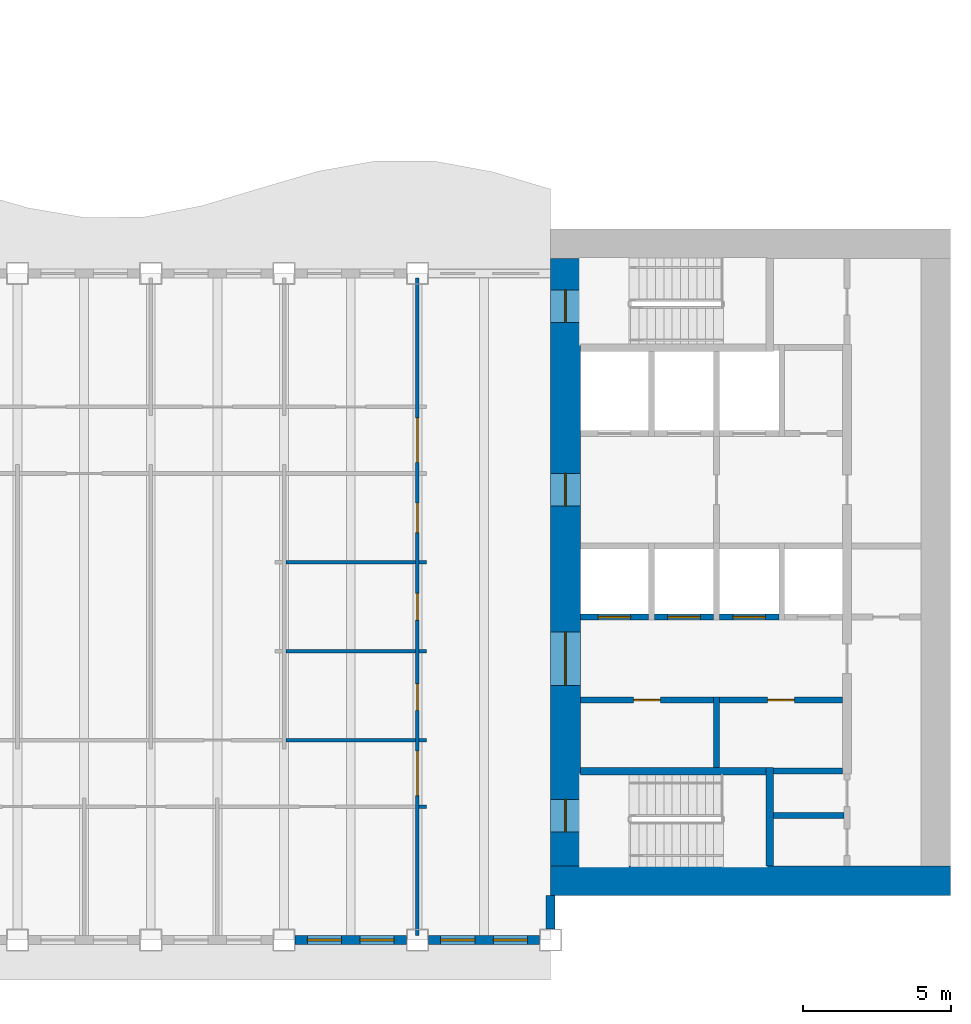
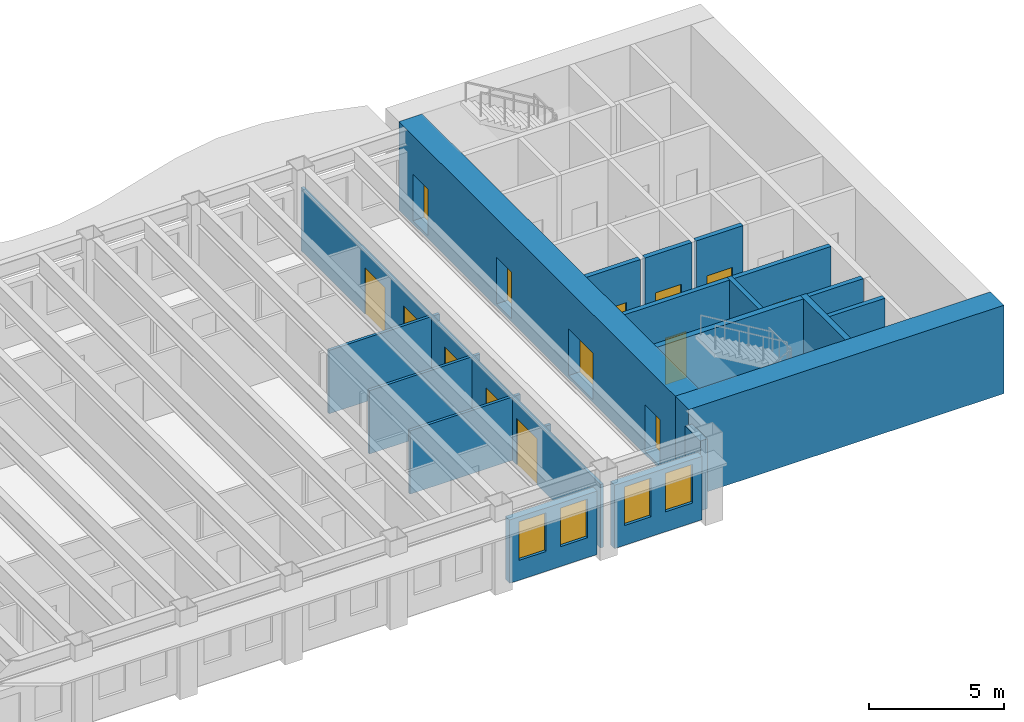
# One storey, part 6 of 17: 23 walls, 14 doors, 4 windows, 18 openings.
"""IFC4 building model written with IfcOpenShell, lengths in metres."""

from ifc_helpers import new_model, si_unit, direction, frame, frame_2d, origin, place, context, subcontext, project, spatial, rectangle, extrude, material, layer, layer_set, type_object, element, fill, save


model = new_model("IFC4")

# Units and contexts
model_context = context("Model", 3, precision=1e-05, world=origin(), true_north=direction((0.0, 1.0)))
body_context = subcontext(model_context, "Body", "Model", "MODEL_VIEW")
ifc_project = project(units=[si_unit("LENGTHUNIT", "METRE"), si_unit("AREAUNIT", "SQUARE_METRE"), si_unit("VOLUMEUNIT", "CUBIC_METRE"), si_unit("PLANEANGLEUNIT", "RADIAN"), si_unit("MASSUNIT", "GRAM", prefix="KILO")], contexts=[model_context])

# Site, building, storey
site_placement = place(None, origin())
site = spatial("IfcSite", under=ifc_project, at=site_placement, CompositionType="ELEMENT")
building_placement = place(site_placement, origin())
building = spatial("IfcBuilding", under=site, at=building_placement, Name="Sennacour Bend Tower", CompositionType="ELEMENT")
storey_placement = place(building_placement, frame((0.0, 0.0, 199.0)))
storey = spatial("IfcBuildingStorey", under=building, at=storey_placement, Name="L45", CompositionType="ELEMENT", Elevation=199.0)

# Wall
ifc_material_1 = material(Name="Concrete C60/75", Category="concrete")
ifc_layer_1 = layer(ifc_material_1, 1.0, Name="Concrete C60/75", Category="concrete")
ifc_layer_set_1 = layer_set([ifc_layer_1], Name="Concrete C60/75")
wall_type_1 = type_object("IfcWallType", Name="Core wall 1000 C60/75", PredefinedType="SHEAR", material=ifc_layer_set_1)
wall_1_placement = place(storey_placement, frame((67.5, 0.5, -0.14990234375), z_axis=(0.0, 0.0, 1.0), x_axis=(-1.0, 0.0, 0.0)))
element("IfcWall", 1, at=wall_1_placement, inside=storey, type_object=wall_type_1, Name="Core A wall L45 S", PredefinedType="SHEAR", context=body_context, shape_type="SweptSolid", body=[
    extrude(rectangle(XDim=13.5, YDim=1.0, at=frame_2d((6.75, 0.0))), origin(), (0.0, 0.0, 1.0), 4.0),
])

# Wall, openings, doors
wall_2_placement = place(storey_placement, frame((54.5, 1.0, -0.14990234375), z_axis=(0.0, 0.0, 1.0), x_axis=(0.0, 1.0, 0.0)))
wall_2 = element("IfcWall", 2, at=wall_2_placement, inside=storey, type_object=wall_type_1, Name="Core A wall L45 W", PredefinedType="SHEAR", context=body_context, shape_type="SweptSolid", body=[
    extrude(rectangle(XDim=20.5, YDim=1.0, at=frame_2d((10.25, 0.0))), origin(), (0.0, 0.0, 1.0), 4.0),
])
opening_1_placement = place(wall_2_placement, frame((6.10009765625, 0.0, 0.14990234375)))
opening_1 = element("IfcOpeningElement", 3, at=opening_1_placement, cuts=wall_2, Name="Opening CD", PredefinedType="OPENING", context=body_context, shape_type="SweptSolid", body=[
    extrude(rectangle(XDim=1.800048828125, YDim=2.10009765625, at=frame_2d((0.89990234375, 1.050048828125))), frame((0.0, 0.510009765625, 0.0), z_axis=(0.0, -1.0, 0.0), x_axis=(1.0, 0.0, 0.0)), (0.0, 0.0, 1.0), 1.02001953125),
])
opening_2_placement = place(wall_2_placement, frame((12.14990234375, 0.0, 0.14990234375)))
opening_2 = element("IfcOpeningElement", 4, at=opening_2_placement, cuts=wall_2, Name="Opening FD", PredefinedType="OPENING", context=body_context, shape_type="SweptSolid", body=[
    extrude(rectangle(XDim=1.10009765625, YDim=2.10009765625, at=frame_2d((0.550048828125, 1.050048828125))), frame((0.0, 0.510009765625, 0.0), z_axis=(0.0, -1.0, 0.0), x_axis=(1.0, 0.0, 0.0)), (0.0, 0.0, 1.0), 1.02001953125),
])
opening_3_placement = place(wall_2_placement, frame((1.14990234375, 0.0, 0.14990234375)))
opening_3 = element("IfcOpeningElement", 5, at=opening_3_placement, cuts=wall_2, Name="Opening SD", PredefinedType="OPENING", context=body_context, shape_type="SweptSolid", body=[
    extrude(rectangle(XDim=1.10009765625, YDim=2.10009765625, at=frame_2d((0.550048828125, 1.050048828125))), frame((0.0, 0.510009765625, 0.0), z_axis=(0.0, -1.0, 0.0), x_axis=(1.0, 0.0, 0.0)), (0.0, 0.0, 1.0), 1.02001953125),
])
opening_4_placement = place(wall_2_placement, frame((18.35009765625, 0.0, 0.14990234375)))
opening_4 = element("IfcOpeningElement", 6, at=opening_4_placement, cuts=wall_2, Name="Opening SD", PredefinedType="OPENING", context=body_context, shape_type="SweptSolid", body=[
    extrude(rectangle(XDim=1.10009765625, YDim=2.10009765625, at=frame_2d((0.550048828125, 1.050048828125))), frame((0.0, 0.510009765625, 0.0), z_axis=(0.0, -1.0, 0.0), x_axis=(1.0, 0.0, 0.0)), (0.0, 0.0, 1.0), 1.02001953125),
])
ifc_material_2 = material(Name="Painted steel", Category="steel")
door_type_1 = type_object("IfcDoorType", Name="DR-FFL-1100", OperationType="NOTDEFINED", PredefinedType="DOOR", material=ifc_material_2)
door_1_placement = place(opening_2_placement, origin())
door_1 = element("IfcDoor", 7, at=door_1_placement, inside=storey, type_object=door_type_1, Name="Door", OperationType="SINGLE_SWING_RIGHT", OverallHeight=2.10009765625, OverallWidth=1.10009765625, PredefinedType="DOOR", context=body_context, shape_type="SweptSolid", body=[
    extrude(rectangle(XDim=1.10009765625, YDim=2.10009765625, at=frame_2d((0.550048828125, 1.050048828125))), frame((0.0, 0.02490234375, 0.0), z_axis=(0.0, -1.0, 0.0), x_axis=(1.0, 0.0, 0.0)), (0.0, 0.0, 1.0), 0.050048828125),
])
fill(opening_2, door_1)
door_type_2 = type_object("IfcDoorType", Name="DR-LOBBY-1800", OperationType="NOTDEFINED", PredefinedType="DOOR", material=ifc_material_2)
door_2_placement = place(opening_1_placement, origin())
door_2 = element("IfcDoor", 8, at=door_2_placement, inside=storey, type_object=door_type_2, Name="Door", OperationType="DOUBLE_DOOR_SINGLE_SWING", OverallHeight=2.10009765625, OverallWidth=1.800048828125, PredefinedType="DOOR", context=body_context, shape_type="SweptSolid", body=[
    extrude(rectangle(XDim=1.800048828125, YDim=2.10009765625, at=frame_2d((0.89990234375, 1.050048828125))), frame((0.0, 0.02490234375, 0.0), z_axis=(0.0, -1.0, 0.0), x_axis=(1.0, 0.0, 0.0)), (0.0, 0.0, 1.0), 0.050048828125),
])
fill(opening_1, door_2)
door_type_3 = type_object("IfcDoorType", Name="DR-STAIR-1100", OperationType="NOTDEFINED", PredefinedType="DOOR", material=ifc_material_2)
door_3_placement = place(opening_3_placement, origin())
door_3 = element("IfcDoor", 9, at=door_3_placement, inside=storey, type_object=door_type_3, Name="Door", OperationType="SINGLE_SWING_LEFT", OverallHeight=2.10009765625, OverallWidth=1.10009765625, PredefinedType="DOOR", context=body_context, shape_type="SweptSolid", body=[
    extrude(rectangle(XDim=1.10009765625, YDim=2.10009765625, at=frame_2d((0.550048828125, 1.050048828125))), frame((0.0, 0.02490234375, 0.0), z_axis=(0.0, -1.0, 0.0), x_axis=(1.0, 0.0, 0.0)), (0.0, 0.0, 1.0), 0.050048828125),
])
fill(opening_3, door_3)
door_4_placement = place(opening_4_placement, origin())
door_4 = element("IfcDoor", 10, at=door_4_placement, inside=storey, type_object=door_type_3, Name="Door", OperationType="SINGLE_SWING_RIGHT", OverallHeight=2.10009765625, OverallWidth=1.10009765625, PredefinedType="DOOR", context=body_context, shape_type="SweptSolid", body=[
    extrude(rectangle(XDim=1.10009765625, YDim=2.10009765625, at=frame_2d((0.550048828125, 1.050048828125))), frame((0.0, 0.02490234375, 0.0), z_axis=(0.0, -1.0, 0.0), x_axis=(1.0, 0.0, 0.0)), (0.0, 0.0, 1.0), 0.050048828125),
])
fill(opening_4, door_4)

# Walls
ifc_material_3 = material(Name="Plasterboard partition on steel studs", Category="steel")
ifc_layer_2 = layer(ifc_material_3, 0.1201171875, Name="Plasterboard partition on steel studs", Category="steel")
ifc_layer_set_2 = layer_set([ifc_layer_2], Name="Plasterboard partition on steel studs")
wall_type_2 = type_object("IfcWallType", Name="Partition 120", PredefinedType="PARTITIONING", material=ifc_layer_set_2)
wall_3_placement = place(storey_placement, frame((49.56005859375, 3.0, 0.0), z_axis=(0.0, 0.0, 1.0), x_axis=(1.0, 0.0, 0.0)))
element("IfcWall", 11, at=wall_3_placement, inside=storey, type_object=wall_type_2, Name="P-L45-W058ah", PredefinedType="PARTITIONING", context=body_context, shape_type="SweptSolid", body=[
    extrude(rectangle(XDim=0.239990234375, YDim=0.1201171875, at=frame_2d((0.1201171875, 0.0))), origin(), (0.0, 0.0, 1.0), 2.8701171875),
])
wall_4_placement = place(storey_placement, frame((45.06005859375, 5.25, 0.0), z_axis=(0.0, 0.0, 1.0), x_axis=(1.0, 0.0, 0.0)))
element("IfcWall", 12, at=wall_4_placement, inside=storey, type_object=wall_type_2, Name="P-L45-W063ae", PredefinedType="PARTITIONING", context=body_context, shape_type="SweptSolid", body=[
    extrude(rectangle(XDim=4.3798828125, YDim=0.1201171875, at=frame_2d((2.18994140625, 0.0))), origin(), (0.0, 0.0, 1.0), 2.8701171875),
])
wall_5_placement = place(storey_placement, frame((49.56005859375, 5.25, 0.0), z_axis=(0.0, 0.0, 1.0), x_axis=(1.0, 0.0, 0.0)))
element("IfcWall", 13, at=wall_5_placement, inside=storey, type_object=wall_type_2, Name="P-L45-W063af", PredefinedType="PARTITIONING", context=body_context, shape_type="SweptSolid", body=[
    extrude(rectangle(XDim=0.239990234375, YDim=0.1201171875, at=frame_2d((0.1201171875, 0.0))), origin(), (0.0, 0.0, 1.0), 2.8701171875),
])
wall_6_placement = place(storey_placement, frame((45.06005859375, 8.25, 0.0), z_axis=(0.0, 0.0, 1.0), x_axis=(1.0, 0.0, 0.0)))
element("IfcWall", 14, at=wall_6_placement, inside=storey, type_object=wall_type_2, Name="P-L45-W065ab", PredefinedType="PARTITIONING", context=body_context, shape_type="SweptSolid", body=[
    extrude(rectangle(XDim=4.3798828125, YDim=0.1201171875, at=frame_2d((2.18994140625, 0.0))), origin(), (0.0, 0.0, 1.0), 2.8701171875),
])
wall_7_placement = place(storey_placement, frame((49.56005859375, 8.25, 0.0), z_axis=(0.0, 0.0, 1.0), x_axis=(1.0, 0.0, 0.0)))
element("IfcWall", 15, at=wall_7_placement, inside=storey, type_object=wall_type_2, Name="P-L45-W065ac", PredefinedType="PARTITIONING", context=body_context, shape_type="SweptSolid", body=[
    extrude(rectangle(XDim=0.239990234375, YDim=0.1201171875, at=frame_2d((0.1201171875, 0.0))), origin(), (0.0, 0.0, 1.0), 2.8701171875),
])
wall_8_placement = place(storey_placement, frame((45.06005859375, 11.25, 0.0), z_axis=(0.0, 0.0, 1.0), x_axis=(1.0, 0.0, 0.0)))
element("IfcWall", 16, at=wall_8_placement, inside=storey, type_object=wall_type_2, Name="P-L45-W070ab", PredefinedType="PARTITIONING", context=body_context, shape_type="SweptSolid", body=[
    extrude(rectangle(XDim=4.3798828125, YDim=0.1201171875, at=frame_2d((2.18994140625, 0.0))), origin(), (0.0, 0.0, 1.0), 2.8701171875),
])
wall_9_placement = place(storey_placement, frame((49.56005859375, 11.25, 0.0), z_axis=(0.0, 0.0, 1.0), x_axis=(1.0, 0.0, 0.0)))
element("IfcWall", 17, at=wall_9_placement, inside=storey, type_object=wall_type_2, Name="P-L45-W070ac", PredefinedType="PARTITIONING", context=body_context, shape_type="SweptSolid", body=[
    extrude(rectangle(XDim=0.239990234375, YDim=0.1201171875, at=frame_2d((0.1201171875, 0.0))), origin(), (0.0, 0.0, 1.0), 2.8701171875),
])

# Wall, openings, doors
ifc_layer_3 = layer(ifc_material_3, 0.1201171875, Name="Plasterboard partition on steel studs", Category="steel")
ifc_layer_set_3 = layer_set([ifc_layer_3], Name="Plasterboard partition on steel studs")
wall_type_3 = type_object("IfcWallType", Name="Partition 120 EI 30", PredefinedType="PARTITIONING", material=ifc_layer_set_3)
wall_10_placement = place(storey_placement, frame((49.5, -1.35009765625, 0.0), z_axis=(0.0, 0.0, 1.0), x_axis=(0.0, 1.0, 0.0)))
wall_10 = element("IfcWall", 18, at=wall_10_placement, inside=storey, type_object=wall_type_3, Name="P-L45-W040a", PredefinedType="PARTITIONING", context=body_context, shape_type="SweptSolid", body=[
    extrude(rectangle(XDim=22.2001953125, YDim=0.1201171875, at=frame_2d((11.10009765625, 0.0))), origin(), (0.0, 0.0, 1.0), 2.8701171875),
])
opening_5_placement = place(wall_10_placement, frame((4.72509765625, 0.0, 0.0)))
opening_5 = element("IfcOpeningElement", 19, at=opening_5_placement, cuts=wall_10, Name="Opening KD", PredefinedType="OPENING", context=body_context, shape_type="SweptSolid", body=[
    extrude(rectangle(XDim=1.5, YDim=2.10009765625, at=frame_2d((0.75, 1.050048828125))), frame((0.0, 0.070068359375, 0.0), z_axis=(0.0, -1.0, 0.0), x_axis=(1.0, 0.0, 0.0)), (0.0, 0.0, 1.0), 0.14013671875),
])
opening_6_placement = place(wall_10_placement, frame((15.97509765625, 0.0, 0.0)))
opening_6 = element("IfcOpeningElement", 20, at=opening_6_placement, cuts=wall_10, Name="Opening KD", PredefinedType="OPENING", context=body_context, shape_type="SweptSolid", body=[
    extrude(rectangle(XDim=1.5, YDim=2.10009765625, at=frame_2d((0.75, 1.050048828125))), frame((0.0, 0.070068359375, 0.0), z_axis=(0.0, -1.0, 0.0), x_axis=(1.0, 0.0, 0.0)), (0.0, 0.0, 1.0), 0.14013671875),
])
opening_7_placement = place(wall_10_placement, frame((7.60009765625, 0.0, 0.0)))
opening_7 = element("IfcOpeningElement", 21, at=opening_7_placement, cuts=wall_10, Name="Opening WD", PredefinedType="OPENING", context=body_context, shape_type="SweptSolid", body=[
    extrude(rectangle(XDim=0.89990234375, YDim=2.10009765625, at=frame_2d((0.449951171875, 1.050048828125))), frame((0.0, 0.070068359375, 0.0), z_axis=(0.0, -1.0, 0.0), x_axis=(1.0, 0.0, 0.0)), (0.0, 0.0, 1.0), 0.14013671875),
])
opening_8_placement = place(wall_10_placement, frame((10.650146484375, 0.0, 0.0)))
opening_8 = element("IfcOpeningElement", 22, at=opening_8_placement, cuts=wall_10, Name="Opening WD", PredefinedType="OPENING", context=body_context, shape_type="SweptSolid", body=[
    extrude(rectangle(XDim=0.89990234375, YDim=2.10009765625, at=frame_2d((0.449951171875, 1.050048828125))), frame((0.0, 0.070068359375, 0.0), z_axis=(0.0, -1.0, 0.0), x_axis=(1.0, 0.0, 0.0)), (0.0, 0.0, 1.0), 0.14013671875),
])
opening_9_placement = place(wall_10_placement, frame((13.60009765625, 0.0, 0.0)))
opening_9 = element("IfcOpeningElement", 23, at=opening_9_placement, cuts=wall_10, Name="Opening AD", PredefinedType="OPENING", context=body_context, shape_type="SweptSolid", body=[
    extrude(rectangle(XDim=1.0, YDim=2.10009765625, at=frame_2d((0.5, 1.050048828125))), frame((0.0, 0.070068359375, 0.0), z_axis=(0.0, -1.0, 0.0), x_axis=(1.0, 0.0, 0.0)), (0.0, 0.0, 1.0), 0.14013671875),
])
ifc_material_4 = material(Name="Timber", Category="wood")
door_type_4 = type_object("IfcDoorType", Name="DR-ACC-WC-1000", OperationType="NOTDEFINED", PredefinedType="DOOR", material=ifc_material_4)
door_5_placement = place(opening_9_placement, origin())
door_5 = element("IfcDoor", 24, at=door_5_placement, inside=storey, type_object=door_type_4, Name="Door", OperationType="SINGLE_SWING_RIGHT", OverallHeight=2.10009765625, OverallWidth=1.0, PredefinedType="DOOR", context=body_context, shape_type="SweptSolid", body=[
    extrude(rectangle(XDim=1.0, YDim=2.10009765625, at=frame_2d((0.5, 1.050048828125))), frame((0.0, 0.02490234375, 0.0), z_axis=(0.0, -1.0, 0.0), x_axis=(1.0, 0.0, 0.0)), (0.0, 0.0, 1.0), 0.050048828125),
])
fill(opening_9, door_5)
door_type_5 = type_object("IfcDoorType", Name="DR-CORRIDOR-1500", OperationType="NOTDEFINED", PredefinedType="DOOR", material=ifc_material_2)
door_6_placement = place(opening_5_placement, origin())
door_6 = element("IfcDoor", 25, at=door_6_placement, inside=storey, type_object=door_type_5, Name="Door", OperationType="SINGLE_SWING_LEFT", OverallHeight=2.10009765625, OverallWidth=1.5, PredefinedType="DOOR", context=body_context, shape_type="SweptSolid", body=[
    extrude(rectangle(XDim=1.5, YDim=2.10009765625, at=frame_2d((0.75, 1.050048828125))), frame((0.0, 0.02490234375, 0.0), z_axis=(0.0, -1.0, 0.0), x_axis=(1.0, 0.0, 0.0)), (0.0, 0.0, 1.0), 0.050048828125),
])
fill(opening_5, door_6)
door_7_placement = place(opening_6_placement, origin())
door_7 = element("IfcDoor", 26, at=door_7_placement, inside=storey, type_object=door_type_5, Name="Door", OperationType="SINGLE_SWING_RIGHT", OverallHeight=2.10009765625, OverallWidth=1.5, PredefinedType="DOOR", context=body_context, shape_type="SweptSolid", body=[
    extrude(rectangle(XDim=1.5, YDim=2.10009765625, at=frame_2d((0.75, 1.050048828125))), frame((0.0, 0.02490234375, 0.0), z_axis=(0.0, -1.0, 0.0), x_axis=(1.0, 0.0, 0.0)), (0.0, 0.0, 1.0), 0.050048828125),
])
fill(opening_6, door_7)
door_type_6 = type_object("IfcDoorType", Name="DR-WC-900", OperationType="NOTDEFINED", PredefinedType="DOOR", material=ifc_material_4)
door_8_placement = place(opening_7_placement, origin())
door_8 = element("IfcDoor", 27, at=door_8_placement, inside=storey, type_object=door_type_6, Name="Door", OperationType="SINGLE_SWING_LEFT", OverallHeight=2.10009765625, OverallWidth=0.89990234375, PredefinedType="DOOR", context=body_context, shape_type="SweptSolid", body=[
    extrude(rectangle(XDim=0.89990234375, YDim=2.10009765625, at=frame_2d((0.449951171875, 1.050048828125))), frame((0.0, 0.02490234375, 0.0), z_axis=(0.0, -1.0, 0.0), x_axis=(1.0, 0.0, 0.0)), (0.0, 0.0, 1.0), 0.050048828125),
])
fill(opening_7, door_8)
door_9_placement = place(opening_8_placement, origin())
door_9 = element("IfcDoor", 28, at=door_9_placement, inside=storey, type_object=door_type_6, Name="Door", OperationType="SINGLE_SWING_LEFT", OverallHeight=2.10009765625, OverallWidth=0.89990234375, PredefinedType="DOOR", context=body_context, shape_type="SweptSolid", body=[
    extrude(rectangle(XDim=0.89990234375, YDim=2.10009765625, at=frame_2d((0.449951171875, 1.050048828125))), frame((0.0, 0.02490234375, 0.0), z_axis=(0.0, -1.0, 0.0), x_axis=(1.0, 0.0, 0.0)), (0.0, 0.0, 1.0), 0.050048828125),
])
fill(opening_8, door_9)

# Walls
ifc_material_5 = material(Name="Fire-rated plasterboard partition on steel studs", Category="steel")
ifc_layer_4 = layer(ifc_material_5, 0.199951171875, Name="Fire-rated plasterboard partition on steel studs", Category="steel")
ifc_layer_set_4 = layer_set([ifc_layer_4], Name="Fire-rated plasterboard partition on steel studs")
wall_type_4 = type_object("IfcWallType", Name="Rated partition 200", PredefinedType="PARTITIONING", material=ifc_layer_set_4)
for number, where, z_axis, x_axis, name in (
    (29, (59.60009765625, 4.324951171875, 0.0), (0.0, 0.0, 1.0), (0.0, 1.0, 0.0), "P-L45-W044"),
    (30, (61.52490234375, 2.699951171875, 0.0), (0.0, 0.0, 1.0), (1.0, 0.0, 0.0), "P-L45-W057"),
):
    element("IfcWall", number, at=place(storey_placement, frame(where, z_axis=z_axis, x_axis=x_axis)), inside=storey, type_object=wall_type_4, Name=name, PredefinedType="PARTITIONING", context=body_context, shape_type="SweptSolid", body=[
        extrude(rectangle(XDim=2.375, YDim=0.199951171875, at=frame_2d((1.1875, 0.0))), origin(), (0.0, 0.0, 1.0), 3.85009765625),
    ])
wall_11_placement = place(storey_placement, frame((61.52490234375, 4.199951171875, 0.0), z_axis=(0.0, 0.0, 1.0), x_axis=(1.0, 0.0, 0.0)))
element("IfcWall", 31, at=wall_11_placement, inside=storey, type_object=wall_type_4, Name="P-L45-W062", PredefinedType="PARTITIONING", context=body_context, shape_type="SweptSolid", body=[
    extrude(rectangle(XDim=2.3251953125, YDim=0.199951171875, at=frame_2d((1.16259765625, 0.0))), origin(), (0.0, 0.0, 1.0), 3.85009765625),
])

# Wall, opening, door
wall_12_placement = place(storey_placement, frame((55.0, 6.60009765625, 0.0), z_axis=(0.0, 0.0, 1.0), x_axis=(1.0, 0.0, 0.0)))
wall_12 = element("IfcWall", 32, at=wall_12_placement, inside=storey, type_object=wall_type_4, Name="P-L45-W064a", PredefinedType="PARTITIONING", context=body_context, shape_type="SweptSolid", body=[
    extrude(rectangle(XDim=4.5, YDim=0.199951171875, at=frame_2d((2.25, 0.0))), origin(), (0.0, 0.0, 1.0), 3.85009765625),
])
opening_10_placement = place(wall_12_placement, frame((1.800048828125, 0.0, 0.0)))
opening_10 = element("IfcOpeningElement", 33, at=opening_10_placement, cuts=wall_12, Name="Opening SV", PredefinedType="OPENING", context=body_context, shape_type="SweptSolid", body=[
    extrude(rectangle(XDim=0.89990234375, YDim=2.10009765625, at=frame_2d((0.449951171875, 1.050048828125))), frame((0.0, 0.10986328125, 0.0), z_axis=(0.0, -1.0, 0.0), x_axis=(1.0, 0.0, 0.0)), (0.0, 0.0, 1.0), 0.219970703125),
])
door_type_7 = type_object("IfcDoorType", Name="DR-SERVICE-900", OperationType="NOTDEFINED", PredefinedType="DOOR", material=ifc_material_2)
door_10_placement = place(opening_10_placement, origin())
door_10 = element("IfcDoor", 34, at=door_10_placement, inside=storey, type_object=door_type_7, Name="Door", OperationType="SINGLE_SWING_LEFT", OverallHeight=2.10009765625, OverallWidth=0.89990234375, PredefinedType="DOOR", context=body_context, shape_type="SweptSolid", body=[
    extrude(rectangle(XDim=0.89990234375, YDim=2.10009765625, at=frame_2d((0.449951171875, 1.050048828125))), frame((0.0, 0.02490234375, 0.0), z_axis=(0.0, -1.0, 0.0), x_axis=(1.0, 0.0, 0.0)), (0.0, 0.0, 1.0), 0.050048828125),
])
fill(opening_10, door_10)

wall_13_placement = place(storey_placement, frame((59.699951171875, 6.60009765625, 0.0), z_axis=(0.0, 0.0, 1.0), x_axis=(1.0, 0.0, 0.0)))
wall_13 = element("IfcWall", 35, at=wall_13_placement, inside=storey, type_object=wall_type_4, Name="P-L45-W064b", PredefinedType="PARTITIONING", context=body_context, shape_type="SweptSolid", body=[
    extrude(rectangle(XDim=4.150146484375, YDim=0.199951171875, at=frame_2d((2.0751953125, 0.0))), origin(), (0.0, 0.0, 1.0), 3.85009765625),
])
opening_11_placement = place(wall_13_placement, frame((1.625, 0.0, 0.0)))
opening_11 = element("IfcOpeningElement", 36, at=opening_11_placement, cuts=wall_13, Name="Opening SV", PredefinedType="OPENING", context=body_context, shape_type="SweptSolid", body=[
    extrude(rectangle(XDim=0.89990234375, YDim=2.10009765625, at=frame_2d((0.449951171875, 1.050048828125))), frame((0.0, 0.10986328125, 0.0), z_axis=(0.0, -1.0, 0.0), x_axis=(1.0, 0.0, 0.0)), (0.0, 0.0, 1.0), 0.219970703125),
])
door_11_placement = place(opening_11_placement, origin())
door_11 = element("IfcDoor", 37, at=door_11_placement, inside=storey, type_object=door_type_7, Name="Door", OperationType="SINGLE_SWING_LEFT", OverallHeight=2.10009765625, OverallWidth=0.89990234375, PredefinedType="DOOR", context=body_context, shape_type="SweptSolid", body=[
    extrude(rectangle(XDim=0.89990234375, YDim=2.10009765625, at=frame_2d((0.449951171875, 1.050048828125))), frame((0.0, 0.02490234375, 0.0), z_axis=(0.0, -1.0, 0.0), x_axis=(1.0, 0.0, 0.0)), (0.0, 0.0, 1.0), 0.050048828125),
])
fill(opening_11, door_11)

# Wall, openings, windows
ifc_material_6 = material(Name="Warm limestone cladding", Category="masonry")
ifc_layer_5 = layer(ifc_material_6, 0.050048828125, Name="Warm limestone cladding", Category="masonry")
ifc_material_7 = material(Name="Precast concrete C40/50", Category="concrete")
ifc_layer_6 = layer(ifc_material_7, 0.25, Name="Precast concrete C40/50", Category="concrete")
ifc_layer_set_5 = layer_set([ifc_layer_5, ifc_layer_6], Name="Precast concrete C40/50 with limestone cladding")
wall_type_5 = type_object("IfcWallType", Name="STONE-CLAD PRECAST SPANDREL 300", PredefinedType="STANDARD", material=ifc_layer_set_5)
wall_14_placement = place(storey_placement, frame((45.375, -1.5, 0.0), z_axis=(0.0, 0.0, 1.0), x_axis=(1.0, 0.0, 0.0)))
wall_14 = element("IfcWall", 38, at=wall_14_placement, inside=storey, type_object=wall_type_5, Name="Stone spandrel and pier wall L45 00.05", PredefinedType="STANDARD", context=body_context, shape_type="SweptSolid", body=[
    extrude(rectangle(XDim=3.75, YDim=0.300048828125, at=frame_2d((1.875, 0.0))), origin(), (0.0, 0.0, 1.0), 2.8701171875),
])
opening_12_placement = place(wall_14_placement, frame((0.41259765625, 0.0, 0.89990234375)))
opening_12 = element("IfcOpeningElement", 39, at=opening_12_placement, cuts=wall_14, Name="Opening W23", PredefinedType="OPENING", context=body_context, shape_type="SweptSolid", body=[
    extrude(rectangle(XDim=1.14990234375, YDim=1.75, at=frame_2d((0.574951171875, 0.875))), frame((0.0, 0.16015625, 0.0), z_axis=(0.0, -1.0, 0.0), x_axis=(1.0, 0.0, 0.0)), (0.0, 0.0, 1.0), 0.320068359375),
])
opening_13_placement = place(wall_14_placement, frame((2.1875, 0.0, 0.89990234375)))
opening_13 = element("IfcOpeningElement", 40, at=opening_13_placement, cuts=wall_14, Name="Opening W23", PredefinedType="OPENING", context=body_context, shape_type="SweptSolid", body=[
    extrude(rectangle(XDim=1.14990234375, YDim=1.75, at=frame_2d((0.574951171875, 0.875))), frame((0.0, 0.16015625, 0.0), z_axis=(0.0, -1.0, 0.0), x_axis=(1.0, 0.0, 0.0)), (0.0, 0.0, 1.0), 0.320068359375),
])
ifc_material_8 = material(Name="Clear low-emissivity glass", Category="glass")
window_type = type_object("IfcWindowType", Name="WIN-RIBBON-1150x1750", PartitioningType="SINGLE_PANEL", PredefinedType="WINDOW", material=ifc_material_8)
window_1_placement = place(opening_12_placement, origin())
window_1 = element("IfcWindow", 41, at=window_1_placement, inside=storey, type_object=window_type, Name="Ribbon window L45 00.05.0", OverallHeight=1.75, OverallWidth=1.14990234375, PartitioningType="SINGLE_PANEL", PredefinedType="WINDOW", context=body_context, shape_type="SweptSolid", body=[
    extrude(rectangle(XDim=1.14990234375, YDim=1.75, at=frame_2d((0.574951171875, 0.875))), frame((0.0, 0.030029296875, 0.0), z_axis=(0.0, -1.0, 0.0), x_axis=(1.0, 0.0, 0.0)), (0.0, 0.0, 1.0), 0.06005859375),
])
fill(opening_12, window_1)
window_2_placement = place(opening_13_placement, origin())
window_2 = element("IfcWindow", 42, at=window_2_placement, inside=storey, type_object=window_type, Name="Ribbon window L45 00.05.1", OverallHeight=1.75, OverallWidth=1.14990234375, PartitioningType="SINGLE_PANEL", PredefinedType="WINDOW", context=body_context, shape_type="SweptSolid", body=[
    extrude(rectangle(XDim=1.14990234375, YDim=1.75, at=frame_2d((0.574951171875, 0.875))), frame((0.0, 0.030029296875, 0.0), z_axis=(0.0, -1.0, 0.0), x_axis=(1.0, 0.0, 0.0)), (0.0, 0.0, 1.0), 0.06005859375),
])
fill(opening_13, window_2)

wall_15_placement = place(storey_placement, frame((49.875, -1.5, 0.0), z_axis=(0.0, 0.0, 1.0), x_axis=(1.0, 0.0, 0.0)))
wall_15 = element("IfcWall", 43, at=wall_15_placement, inside=storey, type_object=wall_type_5, Name="Stone spandrel and pier wall L45 00.06", PredefinedType="STANDARD", context=body_context, shape_type="SweptSolid", body=[
    extrude(rectangle(XDim=3.75, YDim=0.300048828125, at=frame_2d((1.875, 0.0))), origin(), (0.0, 0.0, 1.0), 2.8701171875),
])
opening_14_placement = place(wall_15_placement, frame((0.41259765625, 0.0, 0.89990234375)))
opening_14 = element("IfcOpeningElement", 44, at=opening_14_placement, cuts=wall_15, Name="Opening W23", PredefinedType="OPENING", context=body_context, shape_type="SweptSolid", body=[
    extrude(rectangle(XDim=1.14990234375, YDim=1.75, at=frame_2d((0.574951171875, 0.875))), frame((0.0, 0.16015625, 0.0), z_axis=(0.0, -1.0, 0.0), x_axis=(1.0, 0.0, 0.0)), (0.0, 0.0, 1.0), 0.320068359375),
])
opening_15_placement = place(wall_15_placement, frame((2.1875, 0.0, 0.89990234375)))
opening_15 = element("IfcOpeningElement", 45, at=opening_15_placement, cuts=wall_15, Name="Opening W23", PredefinedType="OPENING", context=body_context, shape_type="SweptSolid", body=[
    extrude(rectangle(XDim=1.14990234375, YDim=1.75, at=frame_2d((0.574951171875, 0.875))), frame((0.0, 0.16015625, 0.0), z_axis=(0.0, -1.0, 0.0), x_axis=(1.0, 0.0, 0.0)), (0.0, 0.0, 1.0), 0.320068359375),
])
window_3_placement = place(opening_14_placement, origin())
window_3 = element("IfcWindow", 46, at=window_3_placement, inside=storey, type_object=window_type, Name="Ribbon window L45 00.06.0", OverallHeight=1.75, OverallWidth=1.14990234375, PartitioningType="SINGLE_PANEL", PredefinedType="WINDOW", context=body_context, shape_type="SweptSolid", body=[
    extrude(rectangle(XDim=1.14990234375, YDim=1.75, at=frame_2d((0.574951171875, 0.875))), frame((0.0, 0.030029296875, 0.0), z_axis=(0.0, -1.0, 0.0), x_axis=(1.0, 0.0, 0.0)), (0.0, 0.0, 1.0), 0.06005859375),
])
fill(opening_14, window_3)
window_4_placement = place(opening_15_placement, origin())
window_4 = element("IfcWindow", 47, at=window_4_placement, inside=storey, type_object=window_type, Name="Ribbon window L45 00.06.1", OverallHeight=1.75, OverallWidth=1.14990234375, PartitioningType="SINGLE_PANEL", PredefinedType="WINDOW", context=body_context, shape_type="SweptSolid", body=[
    extrude(rectangle(XDim=1.14990234375, YDim=1.75, at=frame_2d((0.574951171875, 0.875))), frame((0.0, 0.030029296875, 0.0), z_axis=(0.0, -1.0, 0.0), x_axis=(1.0, 0.0, 0.0)), (0.0, 0.0, 1.0), 0.06005859375),
])
fill(opening_15, window_4)

# Wall
wall_16_placement = place(storey_placement, frame((54.0, -1.125, 0.0), z_axis=(0.0, 0.0, 1.0), x_axis=(0.0, 1.0, 0.0)))
element("IfcWall", 48, at=wall_16_placement, inside=storey, type_object=wall_type_5, Name="Stone spandrel and pier wall L45 01.00", PredefinedType="STANDARD", context=body_context, shape_type="SweptSolid", body=[
    extrude(rectangle(XDim=1.125, YDim=0.300048828125, at=frame_2d((0.5625, 0.0))), origin(), (0.0, 0.0, 1.0), 3.156982421875),
])

# Wall, opening, door
ifc_material_9 = material(Name="Concrete C50/60", Category="concrete")
ifc_layer_7 = layer(ifc_material_9, 0.199951171875, Name="Concrete C50/60", Category="concrete")
ifc_layer_set_6 = layer_set([ifc_layer_7], Name="Concrete C50/60")
wall_type_6 = type_object("IfcWallType", Name="Shaft wall 200", PredefinedType="SOLIDWALL", material=ifc_layer_set_6)
wall_17_placement = place(storey_placement, frame((55.0, 9.39990234375, 0.0), z_axis=(0.0, 0.0, 1.0), x_axis=(1.0, 0.0, 0.0)))
wall_17 = element("IfcWall", 49, at=wall_17_placement, inside=storey, type_object=wall_type_6, Name="P-L45-W067a", PredefinedType="SOLIDWALL", context=body_context, shape_type="SweptSolid", body=[
    extrude(rectangle(XDim=2.300048828125, YDim=0.199951171875, at=frame_2d((1.14990234375, 0.0))), origin(), (0.0, 0.0, 1.0), 3.85009765625),
])
opening_16_placement = place(wall_17_placement, frame((0.60009765625, 0.0, 0.011962890625)))
opening_16 = element("IfcOpeningElement", 50, at=opening_16_placement, cuts=wall_17, Name="Opening LD", PredefinedType="OPENING", context=body_context, shape_type="SweptSolid", body=[
    extrude(rectangle(XDim=1.10009765625, YDim=2.10009765625, at=frame_2d((0.550048828125, 1.050048828125))), frame((0.0, 0.10986328125, 0.0), z_axis=(0.0, -1.0, 0.0), x_axis=(1.0, 0.0, 0.0)), (0.0, 0.0, 1.0), 0.219970703125),
])
ifc_material_10 = material(Name="Stainless steel", Category="steel")
door_type_8 = type_object("IfcDoorType", Name="DR-LANDING-1100", OperationType="NOTDEFINED", PredefinedType="DOOR", material=ifc_material_10)
door_12_placement = place(opening_16_placement, origin())
door_12 = element("IfcDoor", 51, at=door_12_placement, inside=storey, type_object=door_type_8, Name="Lift landing door HA1", OperationType="SLIDING_TO_LEFT", OverallHeight=2.10009765625, OverallWidth=1.10009765625, PredefinedType="DOOR", context=body_context, shape_type="SweptSolid", body=[
    extrude(rectangle(XDim=1.10009765625, YDim=2.10009765625, at=frame_2d((0.550048828125, 1.050048828125))), frame((0.0, 0.02490234375, 0.0), z_axis=(0.0, -1.0, 0.0), x_axis=(1.0, 0.0, 0.0)), (0.0, 0.0, 1.0), 0.050048828125),
])
fill(opening_16, door_12)

wall_18_placement = place(storey_placement, frame((57.5, 9.39990234375, 0.0), z_axis=(0.0, 0.0, 1.0), x_axis=(1.0, 0.0, 0.0)))
wall_18 = element("IfcWall", 52, at=wall_18_placement, inside=storey, type_object=wall_type_6, Name="P-L45-W067b", PredefinedType="SOLIDWALL", context=body_context, shape_type="SweptSolid", body=[
    extrude(rectangle(XDim=2.0, YDim=0.199951171875, at=frame_2d((1.0, 0.0))), origin(), (0.0, 0.0, 1.0), 3.85009765625),
])
opening_17_placement = place(wall_18_placement, frame((0.449951171875, 0.0, 0.011962890625)))
opening_17 = element("IfcOpeningElement", 53, at=opening_17_placement, cuts=wall_18, Name="Opening LD", PredefinedType="OPENING", context=body_context, shape_type="SweptSolid", body=[
    extrude(rectangle(XDim=1.10009765625, YDim=2.10009765625, at=frame_2d((0.550048828125, 1.050048828125))), frame((0.0, 0.10986328125, 0.0), z_axis=(0.0, -1.0, 0.0), x_axis=(1.0, 0.0, 0.0)), (0.0, 0.0, 1.0), 0.219970703125),
])
door_13_placement = place(opening_17_placement, origin())
door_13 = element("IfcDoor", 54, at=door_13_placement, inside=storey, type_object=door_type_8, Name="Lift landing door HA2", OperationType="SLIDING_TO_RIGHT", OverallHeight=2.10009765625, OverallWidth=1.10009765625, PredefinedType="DOOR", context=body_context, shape_type="SweptSolid", body=[
    extrude(rectangle(XDim=1.10009765625, YDim=2.10009765625, at=frame_2d((0.550048828125, 1.050048828125))), frame((0.0, 0.02490234375, 0.0), z_axis=(0.0, -1.0, 0.0), x_axis=(1.0, 0.0, 0.0)), (0.0, 0.0, 1.0), 0.050048828125),
])
fill(opening_17, door_13)

wall_19_placement = place(storey_placement, frame((59.699951171875, 9.39990234375, 0.0), z_axis=(0.0, 0.0, 1.0), x_axis=(1.0, 0.0, 0.0)))
wall_19 = element("IfcWall", 55, at=wall_19_placement, inside=storey, type_object=wall_type_6, Name="P-L45-W067c", PredefinedType="SOLIDWALL", context=body_context, shape_type="SweptSolid", body=[
    extrude(rectangle(XDim=2.0, YDim=0.199951171875, at=frame_2d((1.0, 0.0))), origin(), (0.0, 0.0, 1.0), 3.85009765625),
])
opening_18_placement = place(wall_19_placement, frame((0.449951171875, 0.0, 0.011962890625)))
opening_18 = element("IfcOpeningElement", 56, at=opening_18_placement, cuts=wall_19, Name="Opening LD", PredefinedType="OPENING", context=body_context, shape_type="SweptSolid", body=[
    extrude(rectangle(XDim=1.10009765625, YDim=2.10009765625, at=frame_2d((0.550048828125, 1.050048828125))), frame((0.0, 0.10986328125, 0.0), z_axis=(0.0, -1.0, 0.0), x_axis=(1.0, 0.0, 0.0)), (0.0, 0.0, 1.0), 0.219970703125),
])
door_14_placement = place(opening_18_placement, origin())
door_14 = element("IfcDoor", 57, at=door_14_placement, inside=storey, type_object=door_type_8, Name="Lift landing door HA3", OperationType="SLIDING_TO_LEFT", OverallHeight=2.10009765625, OverallWidth=1.10009765625, PredefinedType="DOOR", context=body_context, shape_type="SweptSolid", body=[
    extrude(rectangle(XDim=1.10009765625, YDim=2.10009765625, at=frame_2d((0.550048828125, 1.050048828125))), frame((0.0, 0.02490234375, 0.0), z_axis=(0.0, -1.0, 0.0), x_axis=(1.0, 0.0, 0.0)), (0.0, 0.0, 1.0), 0.050048828125),
])
fill(opening_18, door_14)

# Walls
ifc_layer_8 = layer(ifc_material_1, 0.25, Name="Concrete C60/75", Category="concrete")
ifc_layer_set_7 = layer_set([ifc_layer_8], Name="Concrete C60/75")
wall_type_7 = type_object("IfcWallType", Name="Stair wall 250", PredefinedType="SHEAR", material=ifc_layer_set_7)
wall_20_placement = place(storey_placement, frame((61.39990234375, 1.0, 0.0), z_axis=(0.0, 0.0, 1.0), x_axis=(0.0, 1.0, 0.0)))
element("IfcWall", 58, at=wall_20_placement, inside=storey, type_object=wall_type_7, Name="P-L45-W048", PredefinedType="SHEAR", context=body_context, shape_type="SweptSolid", body=[
    extrude(rectangle(XDim=3.324951171875, YDim=0.25, at=frame_2d((1.66259765625, 0.0))), origin(), (0.0, 0.0, 1.0), 3.85009765625),
])
wall_21_placement = place(storey_placement, frame((55.0, 4.199951171875, 0.0), z_axis=(0.0, 0.0, 1.0), x_axis=(1.0, 0.0, 0.0)))
element("IfcWall", 59, at=wall_21_placement, inside=storey, type_object=wall_type_7, Name="P-L45-W061", PredefinedType="SHEAR", context=body_context, shape_type="SweptSolid", body=[
    extrude(rectangle(XDim=6.27490234375, YDim=0.25, at=frame_2d((3.137451171875, 0.0))), origin(), (0.0, 0.0, 1.0), 3.85009765625),
])

save(model, "model.ifc")
